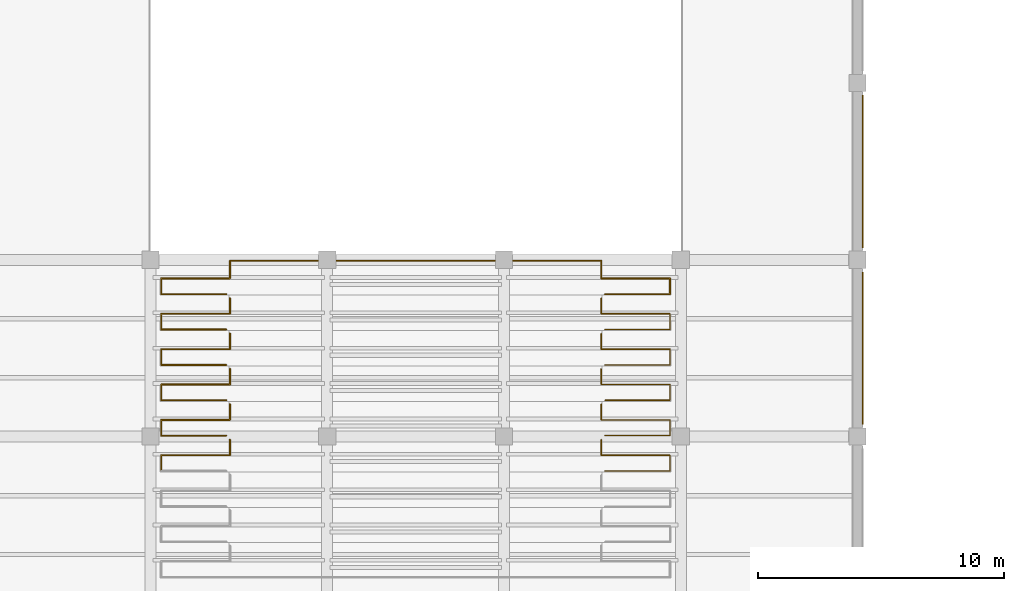
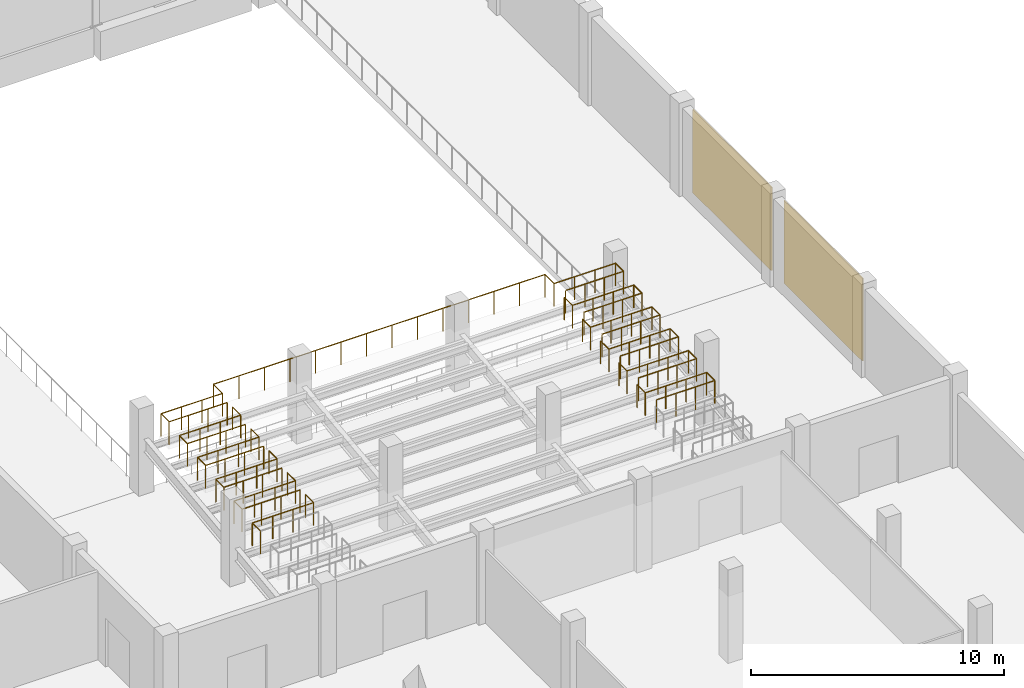
# One storey, part 102 of 108: 16 railings, 2 coverings.
"""IFC4 building model written with IfcOpenShell, lengths in metres."""

from ifc_helpers import new_model, si_unit, direction, frame, origin, origin_2d, place, context, subcontext, project, spatial, rectangle, circle, extrude, material, layer, layer_set, type_object, element, save


model = new_model("IFC4")

# Units and contexts
model_context = context("Model", 3, precision=1e-05, world=origin(), true_north=direction((0.0, 1.0)))
body_context = subcontext(model_context, "Body", "Model", "MODEL_VIEW")
ifc_project = project(units=[si_unit("LENGTHUNIT", "METRE"), si_unit("AREAUNIT", "SQUARE_METRE"), si_unit("VOLUMEUNIT", "CUBIC_METRE"), si_unit("PLANEANGLEUNIT", "RADIAN"), si_unit("MASSUNIT", "GRAM", prefix="KILO"), si_unit("THERMODYNAMICTEMPERATUREUNIT", "KELVIN"), si_unit("POWERUNIT", "WATT")], contexts=[model_context])

# Site, building, storey
site_placement = place(None, origin())
site = spatial("IfcSite", under=ifc_project, at=site_placement, CompositionType="ELEMENT")
building_placement = place(site_placement, origin())
building = spatial("IfcBuilding", under=site, at=building_placement, Name="Kaldorven Railside Theatre", CompositionType="ELEMENT")
storey_placement = place(building_placement, frame((0.0, 0.0, 5.39990234375)))
storey = spatial("IfcBuildingStorey", under=building, at=storey_placement, Name="L01", CompositionType="ELEMENT", Elevation=5.39990234375)

# Coverings
ifc_material_1 = material(Name="Bush-hammered precast concrete C40/50", Category="concrete")
ifc_layer = layer(ifc_material_1, 0.050048828125, Name="Bush-hammered precast concrete C40/50")
ifc_layer_set = layer_set([ifc_layer], Name="Bush-hammered precast concrete C40/50")
covering_type = type_object("IfcCoveringType", Name="COV-CLD-01", PredefinedType="CLADDING", material=ifc_layer_set)
covering_1_placement = place(storey_placement, frame((123.410888671875, 58.800048828125, 0.10009765625), z_axis=(0.0, 0.0, 1.0), x_axis=(0.0, -1.0, 0.0)))
element("IfcCovering", 1, at=covering_1_placement, inside=storey, type_object=covering_type, Name="Bush-Hammered Laterite Rainscreen Panel CLD-010", PredefinedType="CLADDING", context=body_context, shape_type="SweptSolid", body=[
    extrude(rectangle(XDim=6.199951171875, YDim=0.050048828125, at=origin_2d()), origin(), (0.0, 0.0, 1.0), 4.02001953125),
])
covering_2_placement = place(storey_placement, frame((123.410888671875, 51.60009765625, 0.10009765625), z_axis=(0.0, 0.0, 1.0), x_axis=(0.0, -1.0, 0.0)))
element("IfcCovering", 2, at=covering_2_placement, inside=storey, type_object=covering_type, Name="Bush-Hammered Laterite Rainscreen Panel CLD-011", PredefinedType="CLADDING", context=body_context, shape_type="SweptSolid", body=[
    extrude(rectangle(XDim=6.199951171875, YDim=0.050048828125, at=origin_2d()), origin(), (0.0, 0.0, 1.0), 4.0),
])

# Railings
ifc_material_2 = material(Name="Anodised bronze aluminium", Category="aluminium")
railing_type = type_object("IfcRailingType", Name="RLG-BAL-1100", PredefinedType="BALUSTRADE", material=ifc_material_2)
railing_1_placement = place(storey_placement, frame((94.840087890625, 46.60009765625, 1.97021484375)))
element("IfcRailing", 3, at=railing_1_placement, inside=storey, type_object=railing_type, Name="L01 Auditorium Tier Safety Guard GR-052", PredefinedType="BALUSTRADE", context=body_context, shape_type="SweptSolid", body=[
    extrude(circle(Radius=0.02392578125, at=origin_2d()), frame((0.0, 0.0, 1.09619140625), z_axis=(0.0, 1.0, 0.0), x_axis=(-1.0, 0.0, 0.0)), (0.0, 0.0, 1.0), 0.639892578125),
    extrude(circle(Radius=0.02392578125, at=origin_2d()), frame((0.0, 0.639892578125, 1.09619140625), z_axis=(1.0, 0.0, 0.0), x_axis=(0.0, 1.0, 0.0)), (0.0, 0.0, 1.0), 2.7998046875),
    extrude(circle(Radius=0.02392578125, at=origin_2d()), frame((2.7998046875, 0.639892578125, 1.09619140625), z_axis=(0.0, 1.0, 0.0), x_axis=(-1.0, 0.0, 0.0)), (0.0, 0.0, 1.0), 0.639892578125),
    extrude(circle(Radius=0.02099609375, at=origin_2d()), origin(), (0.0, 0.0, 1.0), 1.072021484375),
    extrude(circle(Radius=0.02099609375, at=origin_2d()), frame((0.0, 0.639892578125, 0.0)), (0.0, 0.0, 1.0), 1.072021484375),
    extrude(circle(Radius=0.02099609375, at=origin_2d()), frame((0.933349609375, 0.639892578125, 0.0)), (0.0, 0.0, 1.0), 1.072021484375),
    extrude(circle(Radius=0.02099609375, at=origin_2d()), frame((1.866455078125, 0.639892578125, 0.0)), (0.0, 0.0, 1.0), 1.072021484375),
    extrude(circle(Radius=0.02099609375, at=origin_2d()), frame((2.7998046875, 0.639892578125, 0.0)), (0.0, 0.0, 1.0), 1.072021484375),
    extrude(circle(Radius=0.02099609375, at=origin_2d()), frame((2.7998046875, 1.27978515625, 0.0)), (0.0, 0.0, 1.0), 1.072021484375),
])
railing_2_placement = place(storey_placement, frame((112.760009765625, 47.8798828125, 1.97021484375)))
element("IfcRailing", 4, at=railing_2_placement, inside=storey, type_object=railing_type, Name="L01 Auditorium Tier Safety Guard GR-053", PredefinedType="BALUSTRADE", context=body_context, shape_type="SweptSolid", body=[
    extrude(circle(Radius=0.02392578125, at=origin_2d()), frame((0.0, 0.0, 1.09619140625), z_axis=(0.0, -1.0, 0.0), x_axis=(1.0, 0.0, 0.0)), (0.0, 0.0, 1.0), 0.639892578125),
    extrude(circle(Radius=0.02392578125, at=origin_2d()), frame((0.0, -0.639892578125, 1.09619140625), z_axis=(1.0, 0.0, 0.0), x_axis=(0.0, 1.0, 0.0)), (0.0, 0.0, 1.0), 2.800048828125),
    extrude(circle(Radius=0.02392578125, at=origin_2d()), frame((2.800048828125, -0.639892578125, 1.09619140625), z_axis=(0.0, -1.0, 0.0), x_axis=(1.0, 0.0, 0.0)), (0.0, 0.0, 1.0), 0.639892578125),
    extrude(circle(Radius=0.02392578125, at=origin_2d()), frame((2.800048828125, -1.27978515625, 1.09619140625), z_axis=(-1.0, 0.0, 0.0), x_axis=(0.0, -1.0, 0.0)), (0.0, 0.0, 1.0), 2.64697265625),
    extrude(circle(Radius=0.02099609375, at=origin_2d()), origin(), (0.0, 0.0, 1.0), 1.072021484375),
    extrude(circle(Radius=0.02099609375, at=origin_2d()), frame((0.0, -0.639892578125, 0.0)), (0.0, 0.0, 1.0), 1.072021484375),
    extrude(circle(Radius=0.02099609375, at=origin_2d()), frame((0.933349609375, -0.639892578125, 0.0)), (0.0, 0.0, 1.0), 1.072021484375),
    extrude(circle(Radius=0.02099609375, at=origin_2d()), frame((1.86669921875, -0.639892578125, 0.0)), (0.0, 0.0, 1.0), 1.072021484375),
    extrude(circle(Radius=0.02099609375, at=origin_2d()), frame((2.800048828125, -0.639892578125, 0.0)), (0.0, 0.0, 1.0), 1.072021484375),
    extrude(circle(Radius=0.02099609375, at=origin_2d()), frame((2.800048828125, -1.27978515625, 0.0)), (0.0, 0.0, 1.0), 1.072021484375),
    extrude(circle(Radius=0.02099609375, at=origin_2d()), frame((1.917724609375, -1.27978515625, 0.0)), (0.0, 0.0, 1.0), 1.072021484375),
    extrude(circle(Radius=0.02099609375, at=origin_2d()), frame((1.035400390625, -1.27978515625, 0.0)), (0.0, 0.0, 1.0), 1.072021484375),
    extrude(circle(Radius=0.02099609375, at=origin_2d()), frame((0.153076171875, -1.27978515625, 0.0)), (0.0, 0.0, 1.0), 1.072021484375),
])
railing_3_placement = place(storey_placement, frame((94.840087890625, 48.0400390625, 2.150146484375)))
element("IfcRailing", 5, at=railing_3_placement, inside=storey, type_object=railing_type, Name="L01 Auditorium Tier Safety Guard GR-055", PredefinedType="BALUSTRADE", context=body_context, shape_type="SweptSolid", body=[
    extrude(circle(Radius=0.02392578125, at=origin_2d()), frame((0.0, 0.0, 1.09619140625), z_axis=(0.0, 1.0, 0.0), x_axis=(-1.0, 0.0, 0.0)), (0.0, 0.0, 1.0), 0.639892578125),
    extrude(circle(Radius=0.02392578125, at=origin_2d()), frame((0.0, 0.639892578125, 1.09619140625), z_axis=(1.0, 0.0, 0.0), x_axis=(0.0, 1.0, 0.0)), (0.0, 0.0, 1.0), 2.7998046875),
    extrude(circle(Radius=0.02392578125, at=origin_2d()), frame((2.7998046875, 0.639892578125, 1.09619140625), z_axis=(0.0, 1.0, 0.0), x_axis=(-1.0, 0.0, 0.0)), (0.0, 0.0, 1.0), 0.64013671875),
    extrude(circle(Radius=0.02099609375, at=origin_2d()), origin(), (0.0, 0.0, 1.0), 1.072021484375),
    extrude(circle(Radius=0.02099609375, at=origin_2d()), frame((0.0, 0.639892578125, 0.0)), (0.0, 0.0, 1.0), 1.072021484375),
    extrude(circle(Radius=0.02099609375, at=origin_2d()), frame((0.933349609375, 0.639892578125, 0.0)), (0.0, 0.0, 1.0), 1.072021484375),
    extrude(circle(Radius=0.02099609375, at=origin_2d()), frame((1.866455078125, 0.639892578125, 0.0)), (0.0, 0.0, 1.0), 1.072021484375),
    extrude(circle(Radius=0.02099609375, at=origin_2d()), frame((2.7998046875, 0.639892578125, 0.0)), (0.0, 0.0, 1.0), 1.072021484375),
    extrude(circle(Radius=0.02099609375, at=origin_2d()), frame((2.7998046875, 1.280029296875, 0.0)), (0.0, 0.0, 1.0), 1.072021484375),
])
railing_4_placement = place(storey_placement, frame((112.760009765625, 49.320068359375, 2.150146484375)))
element("IfcRailing", 6, at=railing_4_placement, inside=storey, type_object=railing_type, Name="L01 Auditorium Tier Safety Guard GR-056", PredefinedType="BALUSTRADE", context=body_context, shape_type="SweptSolid", body=[
    extrude(circle(Radius=0.02392578125, at=origin_2d()), frame((0.0, 0.0, 1.09619140625), z_axis=(0.0, -1.0, 0.0), x_axis=(1.0, 0.0, 0.0)), (0.0, 0.0, 1.0), 0.64013671875),
    extrude(circle(Radius=0.02392578125, at=origin_2d()), frame((0.0, -0.64013671875, 1.09619140625), z_axis=(1.0, 0.0, 0.0), x_axis=(0.0, 1.0, 0.0)), (0.0, 0.0, 1.0), 2.800048828125),
    extrude(circle(Radius=0.02392578125, at=origin_2d()), frame((2.800048828125, -0.64013671875, 1.09619140625), z_axis=(0.0, -1.0, 0.0), x_axis=(1.0, 0.0, 0.0)), (0.0, 0.0, 1.0), 0.639892578125),
    extrude(circle(Radius=0.02392578125, at=origin_2d()), frame((2.800048828125, -1.280029296875, 1.09619140625), z_axis=(-1.0, 0.0, 0.0), x_axis=(0.0, -1.0, 0.0)), (0.0, 0.0, 1.0), 2.64697265625),
    extrude(circle(Radius=0.02099609375, at=origin_2d()), origin(), (0.0, 0.0, 1.0), 1.072021484375),
    extrude(circle(Radius=0.02099609375, at=origin_2d()), frame((0.0, -0.64013671875, 0.0)), (0.0, 0.0, 1.0), 1.072021484375),
    extrude(circle(Radius=0.02099609375, at=origin_2d()), frame((0.933349609375, -0.64013671875, 0.0)), (0.0, 0.0, 1.0), 1.072021484375),
    extrude(circle(Radius=0.02099609375, at=origin_2d()), frame((1.86669921875, -0.64013671875, 0.0)), (0.0, 0.0, 1.0), 1.072021484375),
    extrude(circle(Radius=0.02099609375, at=origin_2d()), frame((2.800048828125, -0.64013671875, 0.0)), (0.0, 0.0, 1.0), 1.072021484375),
    extrude(circle(Radius=0.02099609375, at=origin_2d()), frame((2.800048828125, -1.280029296875, 0.0)), (0.0, 0.0, 1.0), 1.072021484375),
    extrude(circle(Radius=0.02099609375, at=origin_2d()), frame((1.917724609375, -1.280029296875, 0.0)), (0.0, 0.0, 1.0), 1.072021484375),
    extrude(circle(Radius=0.02099609375, at=origin_2d()), frame((1.035400390625, -1.280029296875, 0.0)), (0.0, 0.0, 1.0), 1.072021484375),
    extrude(circle(Radius=0.02099609375, at=origin_2d()), frame((0.153076171875, -1.280029296875, 0.0)), (0.0, 0.0, 1.0), 1.072021484375),
])
railing_5_placement = place(storey_placement, frame((97.487060546875, 48.0400390625, 2.150146484375)))
element("IfcRailing", 7, at=railing_5_placement, inside=storey, type_object=railing_type, Name="L01 Auditorium Tier Safety Guard GR-057", PredefinedType="BALUSTRADE", context=body_context, shape_type="SweptSolid", body=[
    extrude(circle(Radius=0.02392578125, at=origin_2d()), frame((0.0, 0.0, 1.09619140625), z_axis=(-1.0, 0.0, 0.0), x_axis=(0.0, -1.0, 0.0)), (0.0, 0.0, 1.0), 2.64697265625),
    extrude(circle(Radius=0.02099609375, at=origin_2d()), origin(), (0.0, 0.0, 1.0), 1.072021484375),
    extrude(circle(Radius=0.02099609375, at=origin_2d()), frame((-0.88232421875, 0.0, 0.0)), (0.0, 0.0, 1.0), 1.072021484375),
    extrude(circle(Radius=0.02099609375, at=origin_2d()), frame((-1.7646484375, 0.0, 0.0)), (0.0, 0.0, 1.0), 1.072021484375),
    extrude(circle(Radius=0.02099609375, at=origin_2d()), frame((-2.64697265625, 0.0, 0.0)), (0.0, 0.0, 1.0), 1.072021484375),
])
railing_6_placement = place(storey_placement, frame((94.840087890625, 49.47998046875, 2.330078125)))
element("IfcRailing", 8, at=railing_6_placement, inside=storey, type_object=railing_type, Name="L01 Auditorium Tier Safety Guard GR-058", PredefinedType="BALUSTRADE", context=body_context, shape_type="SweptSolid", body=[
    extrude(circle(Radius=0.02392578125, at=origin_2d()), frame((0.0, 0.0, 1.09619140625), z_axis=(0.0, 1.0, 0.0), x_axis=(-1.0, 0.0, 0.0)), (0.0, 0.0, 1.0), 0.64013671875),
    extrude(circle(Radius=0.02392578125, at=origin_2d()), frame((0.0, 0.64013671875, 1.09619140625), z_axis=(1.0, 0.0, 0.0), x_axis=(0.0, 1.0, 0.0)), (0.0, 0.0, 1.0), 2.7998046875),
    extrude(circle(Radius=0.02392578125, at=origin_2d()), frame((2.7998046875, 0.64013671875, 1.09619140625), z_axis=(0.0, 1.0, 0.0), x_axis=(-1.0, 0.0, 0.0)), (0.0, 0.0, 1.0), 0.639892578125),
    extrude(circle(Radius=0.02099609375, at=origin_2d()), origin(), (0.0, 0.0, 1.0), 1.072021484375),
    extrude(circle(Radius=0.02099609375, at=origin_2d()), frame((0.0, 0.64013671875, 0.0)), (0.0, 0.0, 1.0), 1.072021484375),
    extrude(circle(Radius=0.02099609375, at=origin_2d()), frame((0.933349609375, 0.64013671875, 0.0)), (0.0, 0.0, 1.0), 1.072021484375),
    extrude(circle(Radius=0.02099609375, at=origin_2d()), frame((1.866455078125, 0.64013671875, 0.0)), (0.0, 0.0, 1.0), 1.072021484375),
    extrude(circle(Radius=0.02099609375, at=origin_2d()), frame((2.7998046875, 0.64013671875, 0.0)), (0.0, 0.0, 1.0), 1.072021484375),
    extrude(circle(Radius=0.02099609375, at=origin_2d()), frame((2.7998046875, 1.280029296875, 0.0)), (0.0, 0.0, 1.0), 1.072021484375),
])
railing_7_placement = place(storey_placement, frame((112.760009765625, 50.760009765625, 2.330078125)))
element("IfcRailing", 9, at=railing_7_placement, inside=storey, type_object=railing_type, Name="L01 Auditorium Tier Safety Guard GR-059", PredefinedType="BALUSTRADE", context=body_context, shape_type="SweptSolid", body=[
    extrude(circle(Radius=0.02392578125, at=origin_2d()), frame((0.0, 0.0, 1.09619140625), z_axis=(0.0, -1.0, 0.0), x_axis=(1.0, 0.0, 0.0)), (0.0, 0.0, 1.0), 0.639892578125),
    extrude(circle(Radius=0.02392578125, at=origin_2d()), frame((0.0, -0.639892578125, 1.09619140625), z_axis=(1.0, 0.0, 0.0), x_axis=(0.0, 1.0, 0.0)), (0.0, 0.0, 1.0), 2.800048828125),
    extrude(circle(Radius=0.02392578125, at=origin_2d()), frame((2.800048828125, -0.639892578125, 1.09619140625), z_axis=(0.0, -1.0, 0.0), x_axis=(1.0, 0.0, 0.0)), (0.0, 0.0, 1.0), 0.64013671875),
    extrude(circle(Radius=0.02392578125, at=origin_2d()), frame((2.800048828125, -1.280029296875, 1.09619140625), z_axis=(-1.0, 0.0, 0.0), x_axis=(0.0, -1.0, 0.0)), (0.0, 0.0, 1.0), 2.64697265625),
    extrude(circle(Radius=0.02099609375, at=origin_2d()), origin(), (0.0, 0.0, 1.0), 1.072021484375),
    extrude(circle(Radius=0.02099609375, at=origin_2d()), frame((0.0, -0.639892578125, 0.0)), (0.0, 0.0, 1.0), 1.072021484375),
    extrude(circle(Radius=0.02099609375, at=origin_2d()), frame((0.933349609375, -0.639892578125, 0.0)), (0.0, 0.0, 1.0), 1.072021484375),
    extrude(circle(Radius=0.02099609375, at=origin_2d()), frame((1.86669921875, -0.639892578125, 0.0)), (0.0, 0.0, 1.0), 1.072021484375),
    extrude(circle(Radius=0.02099609375, at=origin_2d()), frame((2.800048828125, -0.639892578125, 0.0)), (0.0, 0.0, 1.0), 1.072021484375),
    extrude(circle(Radius=0.02099609375, at=origin_2d()), frame((2.800048828125, -1.280029296875, 0.0)), (0.0, 0.0, 1.0), 1.072021484375),
    extrude(circle(Radius=0.02099609375, at=origin_2d()), frame((1.917724609375, -1.280029296875, 0.0)), (0.0, 0.0, 1.0), 1.072021484375),
    extrude(circle(Radius=0.02099609375, at=origin_2d()), frame((1.035400390625, -1.280029296875, 0.0)), (0.0, 0.0, 1.0), 1.072021484375),
    extrude(circle(Radius=0.02099609375, at=origin_2d()), frame((0.153076171875, -1.280029296875, 0.0)), (0.0, 0.0, 1.0), 1.072021484375),
])
railing_8_placement = place(storey_placement, frame((97.487060546875, 49.47998046875, 2.330078125)))
element("IfcRailing", 10, at=railing_8_placement, inside=storey, type_object=railing_type, Name="L01 Auditorium Tier Safety Guard GR-060", PredefinedType="BALUSTRADE", context=body_context, shape_type="SweptSolid", body=[
    extrude(circle(Radius=0.02392578125, at=origin_2d()), frame((0.0, 0.0, 1.09619140625), z_axis=(-1.0, 0.0, 0.0), x_axis=(0.0, -1.0, 0.0)), (0.0, 0.0, 1.0), 2.64697265625),
    extrude(circle(Radius=0.02099609375, at=origin_2d()), origin(), (0.0, 0.0, 1.0), 1.072021484375),
    extrude(circle(Radius=0.02099609375, at=origin_2d()), frame((-0.88232421875, 0.0, 0.0)), (0.0, 0.0, 1.0), 1.072021484375),
    extrude(circle(Radius=0.02099609375, at=origin_2d()), frame((-1.7646484375, 0.0, 0.0)), (0.0, 0.0, 1.0), 1.072021484375),
    extrude(circle(Radius=0.02099609375, at=origin_2d()), frame((-2.64697265625, 0.0, 0.0)), (0.0, 0.0, 1.0), 1.072021484375),
])
railing_9_placement = place(storey_placement, frame((94.840087890625, 50.919921875, 2.510009765625)))
element("IfcRailing", 11, at=railing_9_placement, inside=storey, type_object=railing_type, Name="L01 Auditorium Tier Safety Guard GR-061", PredefinedType="BALUSTRADE", context=body_context, shape_type="SweptSolid", body=[
    extrude(circle(Radius=0.02392578125, at=origin_2d()), frame((0.0, 0.0, 1.09619140625), z_axis=(0.0, 1.0, 0.0), x_axis=(-1.0, 0.0, 0.0)), (0.0, 0.0, 1.0), 0.64013671875),
    extrude(circle(Radius=0.02392578125, at=origin_2d()), frame((0.0, 0.64013671875, 1.09619140625), z_axis=(1.0, 0.0, 0.0), x_axis=(0.0, 1.0, 0.0)), (0.0, 0.0, 1.0), 2.7998046875),
    extrude(circle(Radius=0.02392578125, at=origin_2d()), frame((2.7998046875, 0.64013671875, 1.09619140625), z_axis=(0.0, 1.0, 0.0), x_axis=(-1.0, 0.0, 0.0)), (0.0, 0.0, 1.0), 0.639892578125),
    extrude(circle(Radius=0.02099609375, at=origin_2d()), origin(), (0.0, 0.0, 1.0), 1.072021484375),
    extrude(circle(Radius=0.02099609375, at=origin_2d()), frame((0.0, 0.64013671875, 0.0)), (0.0, 0.0, 1.0), 1.072021484375),
    extrude(circle(Radius=0.02099609375, at=origin_2d()), frame((0.933349609375, 0.64013671875, 0.0)), (0.0, 0.0, 1.0), 1.072021484375),
    extrude(circle(Radius=0.02099609375, at=origin_2d()), frame((1.866455078125, 0.64013671875, 0.0)), (0.0, 0.0, 1.0), 1.072021484375),
    extrude(circle(Radius=0.02099609375, at=origin_2d()), frame((2.7998046875, 0.64013671875, 0.0)), (0.0, 0.0, 1.0), 1.072021484375),
    extrude(circle(Radius=0.02099609375, at=origin_2d()), frame((2.7998046875, 1.280029296875, 0.0)), (0.0, 0.0, 1.0), 1.072021484375),
])
railing_10_placement = place(storey_placement, frame((112.760009765625, 52.199951171875, 2.510009765625)))
element("IfcRailing", 12, at=railing_10_placement, inside=storey, type_object=railing_type, Name="L01 Auditorium Tier Safety Guard GR-062", PredefinedType="BALUSTRADE", context=body_context, shape_type="SweptSolid", body=[
    extrude(circle(Radius=0.02392578125, at=origin_2d()), frame((0.0, 0.0, 1.09619140625), z_axis=(0.0, -1.0, 0.0), x_axis=(1.0, 0.0, 0.0)), (0.0, 0.0, 1.0), 0.639892578125),
    extrude(circle(Radius=0.02392578125, at=origin_2d()), frame((0.0, -0.639892578125, 1.09619140625), z_axis=(1.0, 0.0, 0.0), x_axis=(0.0, 1.0, 0.0)), (0.0, 0.0, 1.0), 2.800048828125),
    extrude(circle(Radius=0.02392578125, at=origin_2d()), frame((2.800048828125, -0.639892578125, 1.09619140625), z_axis=(0.0, -1.0, 0.0), x_axis=(1.0, 0.0, 0.0)), (0.0, 0.0, 1.0), 0.64013671875),
    extrude(circle(Radius=0.02392578125, at=origin_2d()), frame((2.800048828125, -1.280029296875, 1.09619140625), z_axis=(-1.0, 0.0, 0.0), x_axis=(0.0, -1.0, 0.0)), (0.0, 0.0, 1.0), 2.64697265625),
    extrude(circle(Radius=0.02099609375, at=origin_2d()), origin(), (0.0, 0.0, 1.0), 1.072021484375),
    extrude(circle(Radius=0.02099609375, at=origin_2d()), frame((0.0, -0.639892578125, 0.0)), (0.0, 0.0, 1.0), 1.072021484375),
    extrude(circle(Radius=0.02099609375, at=origin_2d()), frame((0.933349609375, -0.639892578125, 0.0)), (0.0, 0.0, 1.0), 1.072021484375),
    extrude(circle(Radius=0.02099609375, at=origin_2d()), frame((1.86669921875, -0.639892578125, 0.0)), (0.0, 0.0, 1.0), 1.072021484375),
    extrude(circle(Radius=0.02099609375, at=origin_2d()), frame((2.800048828125, -0.639892578125, 0.0)), (0.0, 0.0, 1.0), 1.072021484375),
    extrude(circle(Radius=0.02099609375, at=origin_2d()), frame((2.800048828125, -1.280029296875, 0.0)), (0.0, 0.0, 1.0), 1.072021484375),
    extrude(circle(Radius=0.02099609375, at=origin_2d()), frame((1.917724609375, -1.280029296875, 0.0)), (0.0, 0.0, 1.0), 1.072021484375),
    extrude(circle(Radius=0.02099609375, at=origin_2d()), frame((1.035400390625, -1.280029296875, 0.0)), (0.0, 0.0, 1.0), 1.072021484375),
    extrude(circle(Radius=0.02099609375, at=origin_2d()), frame((0.153076171875, -1.280029296875, 0.0)), (0.0, 0.0, 1.0), 1.072021484375),
])
railing_11_placement = place(storey_placement, frame((97.487060546875, 50.919921875, 2.510009765625)))
element("IfcRailing", 13, at=railing_11_placement, inside=storey, type_object=railing_type, Name="L01 Auditorium Tier Safety Guard GR-063", PredefinedType="BALUSTRADE", context=body_context, shape_type="SweptSolid", body=[
    extrude(circle(Radius=0.02392578125, at=origin_2d()), frame((0.0, 0.0, 1.09619140625), z_axis=(-1.0, 0.0, 0.0), x_axis=(0.0, -1.0, 0.0)), (0.0, 0.0, 1.0), 2.64697265625),
    extrude(circle(Radius=0.02099609375, at=origin_2d()), origin(), (0.0, 0.0, 1.0), 1.072021484375),
    extrude(circle(Radius=0.02099609375, at=origin_2d()), frame((-0.88232421875, 0.0, 0.0)), (0.0, 0.0, 1.0), 1.072021484375),
    extrude(circle(Radius=0.02099609375, at=origin_2d()), frame((-1.7646484375, 0.0, 0.0)), (0.0, 0.0, 1.0), 1.072021484375),
    extrude(circle(Radius=0.02099609375, at=origin_2d()), frame((-2.64697265625, 0.0, 0.0)), (0.0, 0.0, 1.0), 1.072021484375),
])
railing_12_placement = place(storey_placement, frame((94.840087890625, 52.360107421875, 2.690185546875)))
element("IfcRailing", 14, at=railing_12_placement, inside=storey, type_object=railing_type, Name="L01 Auditorium Tier Safety Guard GR-064", PredefinedType="BALUSTRADE", context=body_context, shape_type="SweptSolid", body=[
    extrude(circle(Radius=0.02392578125, at=origin_2d()), frame((0.0, 0.0, 1.09619140625), z_axis=(0.0, 1.0, 0.0), x_axis=(-1.0, 0.0, 0.0)), (0.0, 0.0, 1.0), 0.639892578125),
    extrude(circle(Radius=0.02392578125, at=origin_2d()), frame((0.0, 0.639892578125, 1.09619140625), z_axis=(1.0, 0.0, 0.0), x_axis=(0.0, 1.0, 0.0)), (0.0, 0.0, 1.0), 2.7998046875),
    extrude(circle(Radius=0.02392578125, at=origin_2d()), frame((2.7998046875, 0.639892578125, 1.09619140625), z_axis=(0.0, 1.0, 0.0), x_axis=(-1.0, 0.0, 0.0)), (0.0, 0.0, 1.0), 0.639892578125),
    extrude(circle(Radius=0.02099609375, at=origin_2d()), origin(), (0.0, 0.0, 1.0), 1.072021484375),
    extrude(circle(Radius=0.02099609375, at=origin_2d()), frame((0.0, 0.639892578125, 0.0)), (0.0, 0.0, 1.0), 1.072021484375),
    extrude(circle(Radius=0.02099609375, at=origin_2d()), frame((0.933349609375, 0.639892578125, 0.0)), (0.0, 0.0, 1.0), 1.072021484375),
    extrude(circle(Radius=0.02099609375, at=origin_2d()), frame((1.866455078125, 0.639892578125, 0.0)), (0.0, 0.0, 1.0), 1.072021484375),
    extrude(circle(Radius=0.02099609375, at=origin_2d()), frame((2.7998046875, 0.639892578125, 0.0)), (0.0, 0.0, 1.0), 1.072021484375),
    extrude(circle(Radius=0.02099609375, at=origin_2d()), frame((2.7998046875, 1.27978515625, 0.0)), (0.0, 0.0, 1.0), 1.072021484375),
])
railing_13_placement = place(storey_placement, frame((112.760009765625, 53.639892578125, 2.690185546875)))
element("IfcRailing", 15, at=railing_13_placement, inside=storey, type_object=railing_type, Name="L01 Auditorium Tier Safety Guard GR-065", PredefinedType="BALUSTRADE", context=body_context, shape_type="SweptSolid", body=[
    extrude(circle(Radius=0.02392578125, at=origin_2d()), frame((0.0, 0.0, 1.09619140625), z_axis=(0.0, -1.0, 0.0), x_axis=(1.0, 0.0, 0.0)), (0.0, 0.0, 1.0), 0.639892578125),
    extrude(circle(Radius=0.02392578125, at=origin_2d()), frame((0.0, -0.639892578125, 1.09619140625), z_axis=(1.0, 0.0, 0.0), x_axis=(0.0, 1.0, 0.0)), (0.0, 0.0, 1.0), 2.800048828125),
    extrude(circle(Radius=0.02392578125, at=origin_2d()), frame((2.800048828125, -0.639892578125, 1.09619140625), z_axis=(0.0, -1.0, 0.0), x_axis=(1.0, 0.0, 0.0)), (0.0, 0.0, 1.0), 0.639892578125),
    extrude(circle(Radius=0.02392578125, at=origin_2d()), frame((2.800048828125, -1.27978515625, 1.09619140625), z_axis=(-1.0, 0.0, 0.0), x_axis=(0.0, -1.0, 0.0)), (0.0, 0.0, 1.0), 2.64697265625),
    extrude(circle(Radius=0.02099609375, at=origin_2d()), origin(), (0.0, 0.0, 1.0), 1.072021484375),
    extrude(circle(Radius=0.02099609375, at=origin_2d()), frame((0.0, -0.639892578125, 0.0)), (0.0, 0.0, 1.0), 1.072021484375),
    extrude(circle(Radius=0.02099609375, at=origin_2d()), frame((0.933349609375, -0.639892578125, 0.0)), (0.0, 0.0, 1.0), 1.072021484375),
    extrude(circle(Radius=0.02099609375, at=origin_2d()), frame((1.86669921875, -0.639892578125, 0.0)), (0.0, 0.0, 1.0), 1.072021484375),
    extrude(circle(Radius=0.02099609375, at=origin_2d()), frame((2.800048828125, -0.639892578125, 0.0)), (0.0, 0.0, 1.0), 1.072021484375),
    extrude(circle(Radius=0.02099609375, at=origin_2d()), frame((2.800048828125, -1.27978515625, 0.0)), (0.0, 0.0, 1.0), 1.072021484375),
    extrude(circle(Radius=0.02099609375, at=origin_2d()), frame((1.917724609375, -1.27978515625, 0.0)), (0.0, 0.0, 1.0), 1.072021484375),
    extrude(circle(Radius=0.02099609375, at=origin_2d()), frame((1.035400390625, -1.27978515625, 0.0)), (0.0, 0.0, 1.0), 1.072021484375),
    extrude(circle(Radius=0.02099609375, at=origin_2d()), frame((0.153076171875, -1.27978515625, 0.0)), (0.0, 0.0, 1.0), 1.072021484375),
])
railing_14_placement = place(storey_placement, frame((97.487060546875, 52.360107421875, 2.690185546875)))
element("IfcRailing", 16, at=railing_14_placement, inside=storey, type_object=railing_type, Name="L01 Auditorium Tier Safety Guard GR-066", PredefinedType="BALUSTRADE", context=body_context, shape_type="SweptSolid", body=[
    extrude(circle(Radius=0.02392578125, at=origin_2d()), frame((0.0, 0.0, 1.09619140625), z_axis=(-1.0, 0.0, 0.0), x_axis=(0.0, -1.0, 0.0)), (0.0, 0.0, 1.0), 2.64697265625),
    extrude(circle(Radius=0.02099609375, at=origin_2d()), origin(), (0.0, 0.0, 1.0), 1.072021484375),
    extrude(circle(Radius=0.02099609375, at=origin_2d()), frame((-0.88232421875, 0.0, 0.0)), (0.0, 0.0, 1.0), 1.072021484375),
    extrude(circle(Radius=0.02099609375, at=origin_2d()), frame((-1.7646484375, 0.0, 0.0)), (0.0, 0.0, 1.0), 1.072021484375),
    extrude(circle(Radius=0.02099609375, at=origin_2d()), frame((-2.64697265625, 0.0, 0.0)), (0.0, 0.0, 1.0), 1.072021484375),
])
railing_15_placement = place(storey_placement, frame((94.840087890625, 53.800048828125, 2.8701171875)))
element("IfcRailing", 17, at=railing_15_placement, inside=storey, type_object=railing_type, Name="L01 Auditorium Tier Safety Guard GR-067", PredefinedType="BALUSTRADE", context=body_context, shape_type="SweptSolid", body=[
    extrude(circle(Radius=0.02392578125, at=origin_2d()), frame((0.0, 0.0, 1.09619140625), z_axis=(0.0, 1.0, 0.0), x_axis=(-1.0, 0.0, 0.0)), (0.0, 0.0, 1.0), 0.639892578125),
    extrude(circle(Radius=0.02392578125, at=origin_2d()), frame((0.0, 0.639892578125, 1.09619140625), z_axis=(1.0, 0.0, 0.0), x_axis=(0.0, 1.0, 0.0)), (0.0, 0.0, 1.0), 2.7998046875),
    extrude(circle(Radius=0.02392578125, at=origin_2d()), frame((2.7998046875, 0.639892578125, 1.09619140625), z_axis=(0.0, 1.0, 0.0), x_axis=(-1.0, 0.0, 0.0)), (0.0, 0.0, 1.0), 0.719970703125),
    extrude(circle(Radius=0.02392578125, at=origin_2d()), frame((2.7998046875, 1.35986328125, 1.09619140625), z_axis=(1.0, 0.0, 0.0), x_axis=(0.0, 1.0, 0.0)), (0.0, 0.0, 1.0), 15.1201171875),
    extrude(circle(Radius=0.02392578125, at=origin_2d()), frame((17.919921875, 1.35986328125, 1.09619140625), z_axis=(0.0, -1.0, 0.0), x_axis=(1.0, 0.0, 0.0)), (0.0, 0.0, 1.0), 0.719970703125),
    extrude(circle(Radius=0.02392578125, at=origin_2d()), frame((17.919921875, 0.639892578125, 1.09619140625), z_axis=(1.0, 0.0, 0.0), x_axis=(0.0, 1.0, 0.0)), (0.0, 0.0, 1.0), 2.800048828125),
    extrude(circle(Radius=0.02392578125, at=origin_2d()), frame((20.719970703125, 0.639892578125, 1.09619140625), z_axis=(0.0, -1.0, 0.0), x_axis=(1.0, 0.0, 0.0)), (0.0, 0.0, 1.0), 0.639892578125),
    extrude(circle(Radius=0.02392578125, at=origin_2d()), frame((20.719970703125, 0.0, 1.09619140625), z_axis=(-1.0, 0.0, 0.0), x_axis=(0.0, -1.0, 0.0)), (0.0, 0.0, 1.0), 2.64697265625),
    extrude(circle(Radius=0.02099609375, at=origin_2d()), origin(), (0.0, 0.0, 1.0), 1.072021484375),
    extrude(circle(Radius=0.02099609375, at=origin_2d()), frame((0.0, 0.639892578125, 0.0)), (0.0, 0.0, 1.0), 1.072021484375),
    extrude(circle(Radius=0.02099609375, at=origin_2d()), frame((0.933349609375, 0.639892578125, 0.0)), (0.0, 0.0, 1.0), 1.072021484375),
    extrude(circle(Radius=0.02099609375, at=origin_2d()), frame((1.866455078125, 0.639892578125, 0.0)), (0.0, 0.0, 1.0), 1.072021484375),
    extrude(circle(Radius=0.02099609375, at=origin_2d()), frame((2.7998046875, 0.639892578125, 0.0)), (0.0, 0.0, 1.0), 1.072021484375),
    extrude(circle(Radius=0.02099609375, at=origin_2d()), frame((2.7998046875, 1.35986328125, 0.0)), (0.0, 0.0, 1.0), 1.072021484375),
    extrude(circle(Radius=0.02099609375, at=origin_2d()), frame((3.962890625, 1.35986328125, 0.0)), (0.0, 0.0, 1.0), 1.072021484375),
    extrude(circle(Radius=0.02099609375, at=origin_2d()), frame((5.1259765625, 1.35986328125, 0.0)), (0.0, 0.0, 1.0), 1.072021484375),
    extrude(circle(Radius=0.02099609375, at=origin_2d()), frame((6.2890625, 1.35986328125, 0.0)), (0.0, 0.0, 1.0), 1.072021484375),
    extrude(circle(Radius=0.02099609375, at=origin_2d()), frame((7.4521484375, 1.35986328125, 0.0)), (0.0, 0.0, 1.0), 1.072021484375),
    extrude(circle(Radius=0.02099609375, at=origin_2d()), frame((8.615234375, 1.35986328125, 0.0)), (0.0, 0.0, 1.0), 1.072021484375),
    extrude(circle(Radius=0.02099609375, at=origin_2d()), frame((9.7783203125, 1.35986328125, 0.0)), (0.0, 0.0, 1.0), 1.072021484375),
    extrude(circle(Radius=0.02099609375, at=origin_2d()), frame((10.94140625, 1.35986328125, 0.0)), (0.0, 0.0, 1.0), 1.072021484375),
    extrude(circle(Radius=0.02099609375, at=origin_2d()), frame((12.1044921875, 1.35986328125, 0.0)), (0.0, 0.0, 1.0), 1.072021484375),
    extrude(circle(Radius=0.02099609375, at=origin_2d()), frame((13.267578125, 1.35986328125, 0.0)), (0.0, 0.0, 1.0), 1.072021484375),
    extrude(circle(Radius=0.02099609375, at=origin_2d()), frame((14.4306640625, 1.35986328125, 0.0)), (0.0, 0.0, 1.0), 1.072021484375),
    extrude(circle(Radius=0.02099609375, at=origin_2d()), frame((15.59375, 1.35986328125, 0.0)), (0.0, 0.0, 1.0), 1.072021484375),
    extrude(circle(Radius=0.02099609375, at=origin_2d()), frame((16.7568359375, 1.35986328125, 0.0)), (0.0, 0.0, 1.0), 1.072021484375),
    extrude(circle(Radius=0.02099609375, at=origin_2d()), frame((17.919921875, 1.35986328125, 0.0)), (0.0, 0.0, 1.0), 1.072021484375),
    extrude(circle(Radius=0.02099609375, at=origin_2d()), frame((17.919921875, 0.639892578125, 0.0)), (0.0, 0.0, 1.0), 1.072021484375),
    extrude(circle(Radius=0.02099609375, at=origin_2d()), frame((18.853271484375, 0.639892578125, 0.0)), (0.0, 0.0, 1.0), 1.072021484375),
    extrude(circle(Radius=0.02099609375, at=origin_2d()), frame((19.78662109375, 0.639892578125, 0.0)), (0.0, 0.0, 1.0), 1.072021484375),
    extrude(circle(Radius=0.02099609375, at=origin_2d()), frame((20.719970703125, 0.639892578125, 0.0)), (0.0, 0.0, 1.0), 1.072021484375),
    extrude(circle(Radius=0.02099609375, at=origin_2d()), frame((20.719970703125, 0.0, 0.0)), (0.0, 0.0, 1.0), 1.072021484375),
    extrude(circle(Radius=0.02099609375, at=origin_2d()), frame((19.837646484375, 0.0, 0.0)), (0.0, 0.0, 1.0), 1.072021484375),
    extrude(circle(Radius=0.02099609375, at=origin_2d()), frame((18.955322265625, 0.0, 0.0)), (0.0, 0.0, 1.0), 1.072021484375),
    extrude(circle(Radius=0.02099609375, at=origin_2d()), frame((18.072998046875, 0.0, 0.0)), (0.0, 0.0, 1.0), 1.072021484375),
])
railing_16_placement = place(storey_placement, frame((97.487060546875, 53.800048828125, 2.8701171875)))
element("IfcRailing", 18, at=railing_16_placement, inside=storey, type_object=railing_type, Name="L01 Auditorium Tier Safety Guard GR-068", PredefinedType="BALUSTRADE", context=body_context, shape_type="SweptSolid", body=[
    extrude(circle(Radius=0.02392578125, at=origin_2d()), frame((0.0, 0.0, 1.09619140625), z_axis=(-1.0, 0.0, 0.0), x_axis=(0.0, -1.0, 0.0)), (0.0, 0.0, 1.0), 2.64697265625),
    extrude(circle(Radius=0.02099609375, at=origin_2d()), origin(), (0.0, 0.0, 1.0), 1.072021484375),
    extrude(circle(Radius=0.02099609375, at=origin_2d()), frame((-0.88232421875, 0.0, 0.0)), (0.0, 0.0, 1.0), 1.072021484375),
    extrude(circle(Radius=0.02099609375, at=origin_2d()), frame((-1.7646484375, 0.0, 0.0)), (0.0, 0.0, 1.0), 1.072021484375),
    extrude(circle(Radius=0.02099609375, at=origin_2d()), frame((-2.64697265625, 0.0, 0.0)), (0.0, 0.0, 1.0), 1.072021484375),
])

save(model, "model.ifc")
